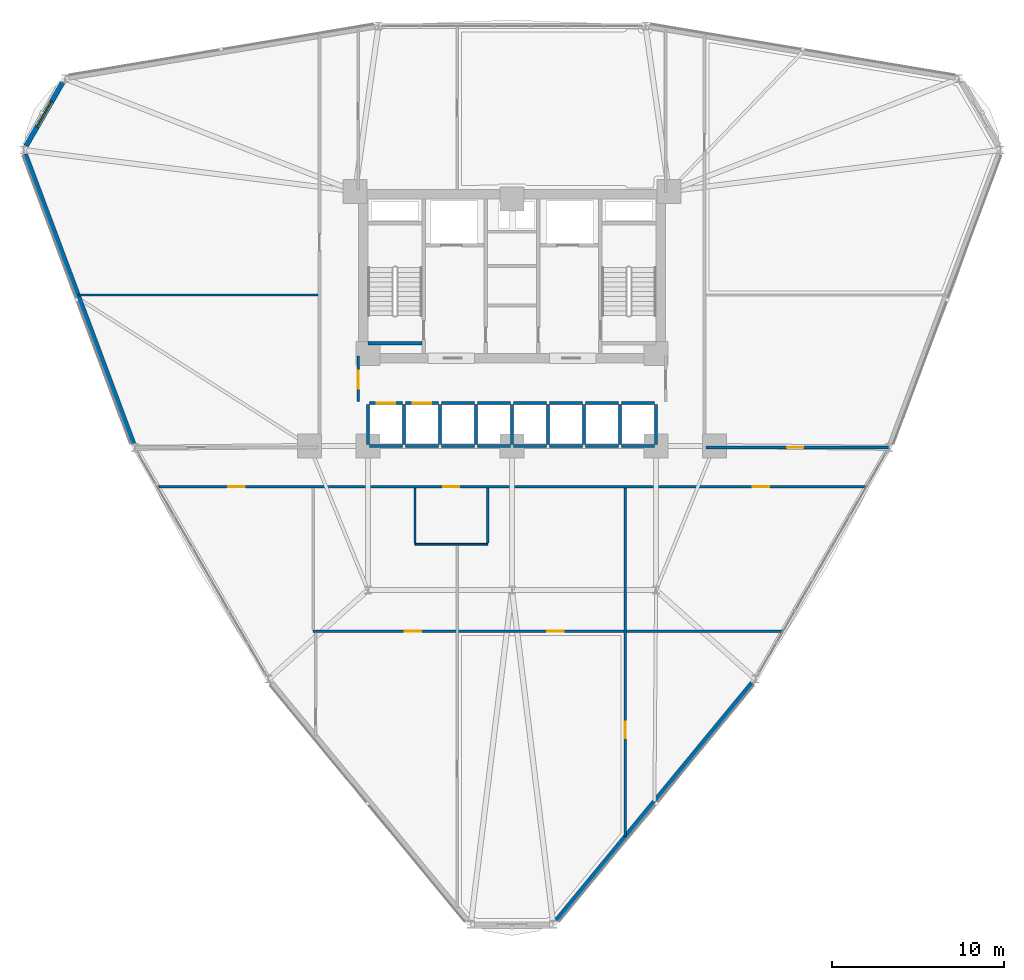
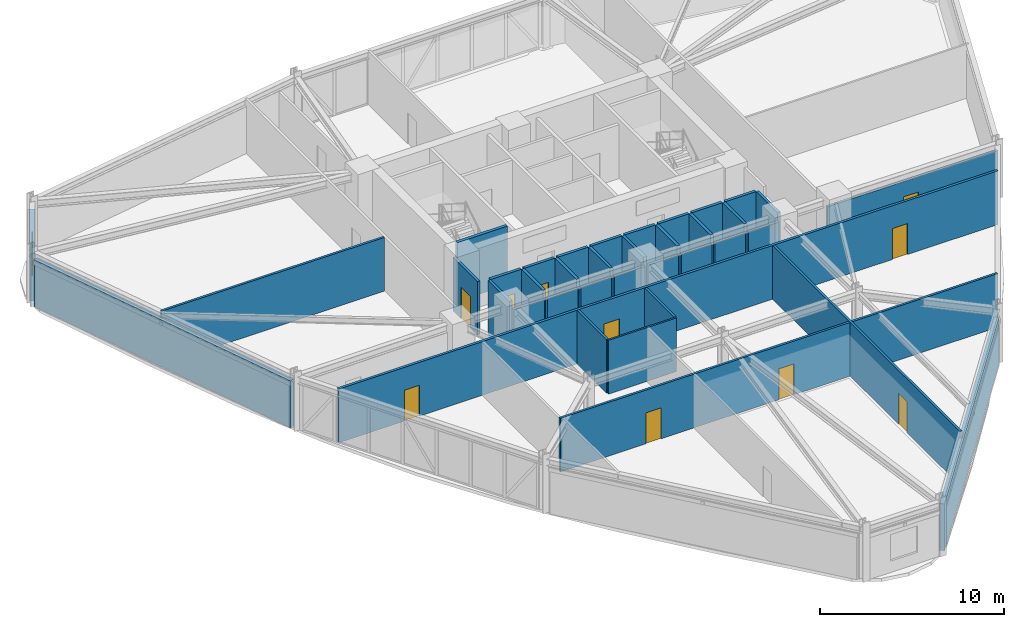
# One storey, part 16 of 22: 38 walls, 10 doors, 1 window, 11 openings.
"""IFC4 building model written with IfcOpenShell, lengths in metres."""

from ifc_helpers import new_model, si_unit, derived_unit, direction, frame, frame_2d, origin, place, context, subcontext, project, spatial, rectangle, extrude, material, layer, layer_set, type_object, element, fill, save


model = new_model("IFC4")

# Units and contexts
model_context = context("Model", 3, precision=1e-05, world=origin(), true_north=direction((0.0, 1.0)))
body_context = subcontext(model_context, "Body", "Model", "MODEL_VIEW")
ifc_project = project(units=[si_unit("LENGTHUNIT", "METRE"), si_unit("AREAUNIT", "SQUARE_METRE"), si_unit("VOLUMEUNIT", "CUBIC_METRE"), si_unit("PLANEANGLEUNIT", "RADIAN"), si_unit("MASSUNIT", "GRAM", prefix="KILO"), derived_unit("THERMALTRANSMITTANCEUNIT", [(si_unit("POWERUNIT", "WATT"), 1), (si_unit("LENGTHUNIT", "METRE"), -2), (si_unit("THERMODYNAMICTEMPERATUREUNIT", "KELVIN"), -1)])], contexts=[model_context])

# Site, building, storey
site_placement = place(None, origin())
site = spatial("IfcSite", under=ifc_project, at=site_placement, CompositionType="ELEMENT")
building_placement = place(site_placement, origin())
building = spatial("IfcBuilding", under=site, at=building_placement, Name="Korsvarv Bourse and Concert Hall", CompositionType="ELEMENT")
storey_placement = place(building_placement, frame((0.0, 0.0, 55.199951171875)))
storey = spatial("IfcBuildingStorey", under=building, at=storey_placement, Name="L13", CompositionType="ELEMENT", Elevation=55.199951171875)

# Wall
ifc_material_1 = material(Name="Concrete C50/60", Category="concrete")
ifc_layer_1 = layer(ifc_material_1, 0.3798828125)
ifc_layer_set_1 = layer_set([ifc_layer_1], Name="Concrete C50/60")
wall_type_1 = type_object("IfcWallType", Name="WL-CORE-380", PredefinedType="SHEAR", material=ifc_layer_set_1)
wall_1_placement = place(storey_placement, frame((27.610107421875, 38.39990234375, 0.0), z_axis=(0.0, 0.0, 1.0), x_axis=(1.0, 0.0, 0.0)))
element("IfcWall", 1, at=wall_1_placement, inside=storey, type_object=wall_type_1, Name="L13 stair shaft structural wall W-L13-ST1-S", PredefinedType="SHEAR", context=body_context, shape_type="SweptSolid", body=[
    extrude(rectangle(XDim=3.139892578125, YDim=0.199951171875, at=frame_2d((1.56982421875, 0.0))), origin(), (0.0, 0.0, 1.0), 3.900146484375),
])

# Wall, opening, window
ifc_material_2 = material(Name="Precast concrete C45/55 with terracotta rainscreen", Category="concrete")
ifc_layer_2 = layer(ifc_material_2, 0.300048828125)
ifc_layer_set_2 = layer_set([ifc_layer_2], Name="Precast concrete C45/55 with terracotta rainscreen")
wall_type_2 = type_object("IfcWallType", Name="WL-EXT-TC1", PredefinedType="SOLIDWALL", material=ifc_layer_set_2)
wall_2_placement = place(storey_placement, frame((9.791015625, 53.58642578125, 0.0), z_axis=(0.0, 0.0, 1.0), x_axis=(-0.500017365573, -0.866015377534, 0.0)))
wall_2 = element("IfcWall", 2, at=wall_2_placement, inside=storey, type_object=wall_type_2, Name="L13 terracotta exterior wall EW-L13-B05", PredefinedType="SOLIDWALL", context=body_context, shape_type="SweptSolid", body=[
    extrude(rectangle(XDim=4.251708984375, YDim=0.300048828125, at=frame_2d((2.1259765625, 0.0))), origin(), (0.0, 0.0, 1.0), 3.110107421875),
])
opening_1_placement = place(wall_2_placement, frame((1.27587890625, 0.0, 0.75)))
opening_1 = element("IfcOpeningElement", 3, at=opening_1_placement, cuts=wall_2, Name="Opening W-01", PredefinedType="OPENING", context=body_context, shape_type="SweptSolid", body=[
    extrude(rectangle(XDim=1.699951171875, YDim=1.75, at=frame_2d((0.85009765625, 0.875))), frame((0.0, 0.16015625, 0.0), z_axis=(0.0, -1.0, 0.0), x_axis=(1.0, 0.0, 0.0)), (0.0, 0.0, 1.0), 0.320068359375),
])
ifc_material_3 = material(Name="Thermally broken aluminium frame with triple low-E glass", Category="glass")
window_type = type_object("IfcWindowType", Name="WIN-TW1", PartitioningType="SINGLE_PANEL", PredefinedType="WINDOW", material=ifc_material_3)
window_placement = place(opening_1_placement, origin())
window = element("IfcWindow", 4, at=window_placement, inside=storey, type_object=window_type, Name="L13 punched facade window W-01", OverallHeight=1.75, OverallWidth=1.699951171875, PartitioningType="SINGLE_PANEL", PredefinedType="WINDOW", context=body_context, shape_type="SweptSolid", body=[
    extrude(rectangle(XDim=1.699951171875, YDim=1.75, at=frame_2d((0.85009765625, 0.875))), frame((0.0, 0.030029296875, 0.0), z_axis=(0.0, -1.0, 0.0), x_axis=(1.0, 0.0, 0.0)), (0.0, 0.0, 1.0), 0.06005859375),
])
fill(opening_1, window)

# Walls
ifc_material_4 = material(Name="Precast concrete C45/55 with fluted terracotta pier", Category="concrete")
ifc_layer_3 = layer(ifc_material_4, 0.280029296875)
ifc_layer_set_3 = layer_set([ifc_layer_3], Name="Precast concrete C45/55 with fluted terracotta pier")
wall_type_3 = type_object("IfcWallType", Name="WL-EXT-TC2", PredefinedType="SOLIDWALL", material=ifc_layer_set_3)
wall_3_placement = place(storey_placement, frame((7.615966796875, 49.42041015625, 0.0), z_axis=(0.0, 0.0, 1.0), x_axis=(0.350140465982, -0.936697205121, 0.0)))
element("IfcWall", 5, at=wall_3_placement, inside=storey, type_object=wall_type_3, Name="L13 terracotta exterior wall EW-L13-B06", PredefinedType="SOLIDWALL", context=body_context, shape_type="SweptSolid", body=[
    extrude(rectangle(XDim=18.022216796875, YDim=0.280029296875, at=frame_2d((9.01123046875, 0.0))), origin(), (0.0, 0.0, 1.0), 3.110107421875),
])
wall_4_placement = place(storey_placement, frame((38.604736328125, 4.751220703125, 0.0), z_axis=(0.0, 0.0, 1.0), x_axis=(0.636134749951, 0.771577980443, 0.0)))
element("IfcWall", 6, at=wall_4_placement, inside=storey, type_object=wall_type_3, Name="L13 terracotta exterior wall EW-L13-B10", PredefinedType="SOLIDWALL", context=body_context, shape_type="SweptSolid", body=[
    extrude(rectangle(XDim=17.911865234375, YDim=0.280029296875, at=frame_2d((8.9560546875, 0.0))), origin(), (0.0, 0.0, 1.0), 3.110107421875),
])

# Wall, opening, door
ifc_material_5 = material(Name="Double-stud fire-rated acoustic partition", Category="gypsum")
ifc_layer_4 = layer(ifc_material_5, 0.159912109375)
ifc_layer_set_4 = layer_set([ifc_layer_4], Name="Double-stud fire-rated acoustic partition")
wall_type_4 = type_object("IfcWallType", Name="WL-INT-EI60", PredefinedType="PARTITIONING", material=ifc_layer_set_4)
wall_5_placement = place(storey_placement, frame((27.0400390625, 35.0, 0.0), z_axis=(0.0, 0.0, 1.0), x_axis=(0.0, 1.0, 0.0)))
wall_5 = element("IfcWall", 7, at=wall_5_placement, inside=storey, type_object=wall_type_4, Name="L13 interior partition wall W-L13-LOB-W", PredefinedType="PARTITIONING", context=body_context, shape_type="SweptSolid", body=[
    extrude(rectangle(XDim=2.64990234375, YDim=0.159912109375, at=frame_2d((1.324951171875, 0.0))), origin(), (0.0, 0.0, 1.0), 3.56005859375),
])
opening_2_placement = place(wall_5_placement, frame((0.75, 0.0, 0.0)))
opening_2 = element("IfcOpeningElement", 8, at=opening_2_placement, cuts=wall_5, Name="Opening D-01", PredefinedType="OPENING", context=body_context, shape_type="SweptSolid", body=[
    extrude(rectangle(XDim=1.050048828125, YDim=2.10009765625, at=frame_2d((0.52490234375, 1.050048828125))), frame((0.0, 0.08984375, 0.0), z_axis=(0.0, -1.0, 0.0), x_axis=(1.0, 0.0, 0.0)), (0.0, 0.0, 1.0), 0.179931640625),
])
ifc_material_6 = material(Name="Steel S355 fire door", Category="steel")
door_type_1 = type_object("IfcDoorType", Name="DR-FD60", OperationType="NOTDEFINED", PredefinedType="DOOR", material=ifc_material_6)
door_1_placement = place(opening_2_placement, frame((1.050048828125, 0.0, 0.0), z_axis=(0.0, 0.0, 1.0), x_axis=(-1.0, 0.0, 0.0)))
door_1 = element("IfcDoor", 9, at=door_1_placement, inside=storey, type_object=door_type_1, Name="L13 interior door DR-L13-LOBW", OperationType="SINGLE_SWING_RIGHT", OverallHeight=2.10009765625, OverallWidth=1.050048828125, PredefinedType="DOOR", context=body_context, shape_type="SweptSolid", body=[
    extrude(rectangle(XDim=1.050048828125, YDim=2.10009765625, at=frame_2d((0.52490234375, 1.050048828125))), frame((0.0, 0.02490234375, 0.0), z_axis=(0.0, -1.0, 0.0), x_axis=(1.0, 0.0, 0.0)), (0.0, 0.0, 1.0), 0.050048828125),
])
fill(opening_2, door_1)

# Wall, openings, doors
wall_6_placement = place(storey_placement, frame((15.348388671875, 30.02490234375, 0.0), z_axis=(0.0, 0.0, 1.0), x_axis=(1.0, 0.0, 0.0)))
wall_6 = element("IfcWall", 10, at=wall_6_placement, inside=storey, type_object=wall_type_4, Name="L13 interior partition wall W-L13-TCOR-01", PredefinedType="PARTITIONING", context=body_context, shape_type="SweptSolid", body=[
    extrude(rectangle(XDim=41.30322265625, YDim=0.159912109375, at=frame_2d((20.651611328125, 0.0))), origin(), (0.0, 0.0, 1.0), 3.56005859375),
])
opening_3_placement = place(wall_6_placement, frame((16.636474609375, 0.0, 0.0)))
opening_3 = element("IfcOpeningElement", 11, at=opening_3_placement, cuts=wall_6, Name="Opening D-02", PredefinedType="OPENING", context=body_context, shape_type="SweptSolid", body=[
    extrude(rectangle(XDim=0.949951171875, YDim=2.050048828125, at=frame_2d((0.47509765625, 1.02490234375))), frame((0.0, 0.08984375, 0.0), z_axis=(0.0, -1.0, 0.0), x_axis=(1.0, 0.0, 0.0)), (0.0, 0.0, 1.0), 0.179931640625),
])
opening_4_placement = place(wall_6_placement, frame((4.119873046875, 0.0, 0.0)))
opening_4 = element("IfcOpeningElement", 12, at=opening_4_placement, cuts=wall_6, Name="Opening D-02", PredefinedType="OPENING", context=body_context, shape_type="SweptSolid", body=[
    extrude(rectangle(XDim=0.949951171875, YDim=2.050048828125, at=frame_2d((0.47509765625, 1.02490234375))), frame((0.0, 0.08984375, 0.0), z_axis=(0.0, -1.0, 0.0), x_axis=(1.0, 0.0, 0.0)), (0.0, 0.0, 1.0), 0.179931640625),
])
opening_5_placement = place(wall_6_placement, frame((34.68994140625, 0.0, 0.0)))
opening_5 = element("IfcOpeningElement", 13, at=opening_5_placement, cuts=wall_6, Name="Opening D-02", PredefinedType="OPENING", context=body_context, shape_type="SweptSolid", body=[
    extrude(rectangle(XDim=0.949951171875, YDim=2.050048828125, at=frame_2d((0.47509765625, 1.02490234375))), frame((0.0, 0.08984375, 0.0), z_axis=(0.0, -1.0, 0.0), x_axis=(1.0, 0.0, 0.0)), (0.0, 0.0, 1.0), 0.179931640625),
])
ifc_material_7 = material(Name="Timber and steel acoustic fire door", Category="wood")
door_type_2 = type_object("IfcDoorType", Name="DR-FD30", OperationType="NOTDEFINED", PredefinedType="DOOR", material=ifc_material_7)
door_2_placement = place(opening_3_placement, origin())
door_2 = element("IfcDoor", 14, at=door_2_placement, inside=storey, type_object=door_type_2, Name="L13 interior door DR-L13-TCOR-RWC", OperationType="SINGLE_SWING_RIGHT", OverallHeight=2.050048828125, OverallWidth=0.949951171875, PredefinedType="DOOR", context=body_context, shape_type="SweptSolid", body=[
    extrude(rectangle(XDim=0.949951171875, YDim=2.050048828125, at=frame_2d((0.47509765625, 1.02490234375))), frame((0.0, 0.02490234375, 0.0), z_axis=(0.0, -1.0, 0.0), x_axis=(1.0, 0.0, 0.0)), (0.0, 0.0, 1.0), 0.050048828125),
])
fill(opening_3, door_2)
door_3_placement = place(opening_4_placement, origin())
door_3 = element("IfcDoor", 15, at=door_3_placement, inside=storey, type_object=door_type_2, Name="L13 interior door DR-L13-TCOR-MF13", OperationType="SINGLE_SWING_LEFT", OverallHeight=2.050048828125, OverallWidth=0.949951171875, PredefinedType="DOOR", context=body_context, shape_type="SweptSolid", body=[
    extrude(rectangle(XDim=0.949951171875, YDim=2.050048828125, at=frame_2d((0.47509765625, 1.02490234375))), frame((0.0, 0.02490234375, 0.0), z_axis=(0.0, -1.0, 0.0), x_axis=(1.0, 0.0, 0.0)), (0.0, 0.0, 1.0), 0.050048828125),
])
fill(opening_4, door_3)
door_4_placement = place(opening_5_placement, origin())
door_4 = element("IfcDoor", 16, at=door_4_placement, inside=storey, type_object=door_type_2, Name="L13 interior door DR-L13-TCOR-MF49", OperationType="SINGLE_SWING_RIGHT", OverallHeight=2.050048828125, OverallWidth=0.949951171875, PredefinedType="DOOR", context=body_context, shape_type="SweptSolid", body=[
    extrude(rectangle(XDim=0.949951171875, YDim=2.050048828125, at=frame_2d((0.47509765625, 1.02490234375))), frame((0.0, 0.02490234375, 0.0), z_axis=(0.0, -1.0, 0.0), x_axis=(1.0, 0.0, 0.0)), (0.0, 0.0, 1.0), 0.050048828125),
])
fill(opening_5, door_4)

# Wall, opening, door
wall_7_placement = place(storey_placement, frame((47.306884765625, 32.31494140625, 0.0), z_axis=(0.0, 0.0, 1.0), x_axis=(1.0, 0.0, 0.0)))
wall_7 = element("IfcWall", 17, at=wall_7_placement, inside=storey, type_object=wall_type_4, Name="L13 interior partition wall W-L13-TCOR-05", PredefinedType="PARTITIONING", context=body_context, shape_type="SweptSolid", body=[
    extrude(rectangle(XDim=10.6630859375, YDim=0.159912109375, at=frame_2d((5.33154296875, 0.0))), origin(), (0.0, 0.0, 1.0), 3.06005859375),
])
opening_6_placement = place(wall_7_placement, frame((4.739013671875, 0.0, 0.0)))
opening_6 = element("IfcOpeningElement", 18, at=opening_6_placement, cuts=wall_7, Name="Opening D-02", PredefinedType="OPENING", context=body_context, shape_type="SweptSolid", body=[
    extrude(rectangle(XDim=0.949951171875, YDim=2.050048828125, at=frame_2d((0.47509765625, 1.02490234375))), frame((0.0, 0.08984375, 0.0), z_axis=(0.0, -1.0, 0.0), x_axis=(1.0, 0.0, 0.0)), (0.0, 0.0, 1.0), 0.179931640625),
])
door_5_placement = place(opening_6_placement, origin())
door_5 = element("IfcDoor", 19, at=door_5_placement, inside=storey, type_object=door_type_2, Name="L13 interior door DR-L13-TCOR-MF91", OperationType="SINGLE_SWING_RIGHT", OverallHeight=2.050048828125, OverallWidth=0.949951171875, PredefinedType="DOOR", context=body_context, shape_type="SweptSolid", body=[
    extrude(rectangle(XDim=0.949951171875, YDim=2.050048828125, at=frame_2d((0.47509765625, 1.02490234375))), frame((0.0, 0.02490234375, 0.0), z_axis=(0.0, -1.0, 0.0), x_axis=(1.0, 0.0, 0.0)), (0.0, 0.0, 1.0), 0.050048828125),
])
fill(opening_6, door_5)

ifc_material_8 = material(Name="Gypsum-clad autoclaved concrete shaft wall C30/37", Category="concrete")
ifc_layer_5 = layer(ifc_material_8, 0.179931640625)
ifc_layer_set_5 = layer_set([ifc_layer_5], Name="Gypsum-clad autoclaved concrete shaft wall C30/37")
wall_type_5 = type_object("IfcWallType", Name="WL-INT-EI90", PredefinedType="PARTITIONING", material=ifc_layer_set_5)
wall_8_placement = place(storey_placement, frame((27.68994140625, 34.89990234375, 0.0), z_axis=(0.0, 0.0, 1.0), x_axis=(1.0, 0.0, 0.0)))
wall_8 = element("IfcWall", 20, at=wall_8_placement, inside=storey, type_object=wall_type_5, Name="L13 interior partition wall W-L13-SHFN-PL1", PredefinedType="PARTITIONING", context=body_context, shape_type="SweptSolid", body=[
    extrude(rectangle(XDim=1.920166015625, YDim=0.179931640625, at=frame_2d((0.9599609375, 0.0))), origin(), (0.0, 0.0, 1.0), 3.56005859375),
])
opening_7_placement = place(wall_8_placement, frame((0.409912109375, 0.0, 0.0)))
opening_7 = element("IfcOpeningElement", 21, at=opening_7_placement, cuts=wall_8, Name="Opening LD-2", PredefinedType="OPENING", context=body_context, shape_type="SweptSolid", body=[
    extrude(rectangle(XDim=1.10009765625, YDim=2.10009765625, at=frame_2d((0.550048828125, 1.050048828125))), frame((0.0, 0.10009765625, 0.0), z_axis=(0.0, -1.0, 0.0), x_axis=(1.0, 0.0, 0.0)), (0.0, 0.0, 1.0), 0.199951171875),
])
ifc_material_9 = material(Name="Brushed stainless Steel S355 lift landing door", Category="steel")
door_type_3 = type_object("IfcDoorType", Name="DR-LIFT-P", OperationType="DOUBLE_DOOR_SLIDING", PredefinedType="DOOR", material=ifc_material_9)
door_6_placement = place(opening_7_placement, origin())
door_6 = element("IfcDoor", 22, at=door_6_placement, inside=storey, type_object=door_type_3, Name="L13 lift sliding landing door LD-L13-PL1", OperationType="DOUBLE_DOOR_SLIDING", OverallHeight=2.10009765625, OverallWidth=1.10009765625, PredefinedType="DOOR", context=body_context, shape_type="SweptSolid", body=[
    extrude(rectangle(XDim=1.10009765625, YDim=2.10009765625, at=frame_2d((0.550048828125, 1.050048828125))), frame((0.0, 0.02490234375, 0.0), z_axis=(0.0, -1.0, 0.0), x_axis=(1.0, 0.0, 0.0)), (0.0, 0.0, 1.0), 0.050048828125),
])
fill(opening_7, door_6)

# Walls
wall_9_placement = place(storey_placement, frame((27.68994140625, 32.39990234375, 0.0), z_axis=(0.0, 0.0, 1.0), x_axis=(1.0, 0.0, 0.0)))
element("IfcWall", 23, at=wall_9_placement, inside=storey, type_object=wall_type_5, Name="L13 interior partition wall W-L13-SHFS-PL1", PredefinedType="PARTITIONING", context=body_context, shape_type="SweptSolid", body=[
    extrude(rectangle(XDim=1.920166015625, YDim=0.179931640625, at=frame_2d((0.9599609375, 0.0))), origin(), (0.0, 0.0, 1.0), 3.06005859375),
])
wall_10_placement = place(storey_placement, frame((27.60009765625, 32.489990234375, 0.0), z_axis=(0.0, 0.0, 1.0), x_axis=(0.0, 1.0, 0.0)))
element("IfcWall", 24, at=wall_10_placement, inside=storey, type_object=wall_type_5, Name="L13 interior partition wall W-L13-SHFW-PL1", PredefinedType="PARTITIONING", context=body_context, shape_type="SweptSolid", body=[
    extrude(rectangle(XDim=2.320068359375, YDim=0.179931640625, at=frame_2d((1.16015625, 0.0))), origin(), (0.0, 0.0, 1.0), 3.56005859375),
])

# Wall, opening, door
wall_11_placement = place(storey_placement, frame((29.7900390625, 34.89990234375, 0.0), z_axis=(0.0, 0.0, 1.0), x_axis=(1.0, 0.0, 0.0)))
wall_11 = element("IfcWall", 25, at=wall_11_placement, inside=storey, type_object=wall_type_5, Name="L13 interior partition wall W-L13-SHFN-PL2", PredefinedType="PARTITIONING", context=body_context, shape_type="SweptSolid", body=[
    extrude(rectangle(XDim=1.919921875, YDim=0.179931640625, at=frame_2d((0.9599609375, 0.0))), origin(), (0.0, 0.0, 1.0), 3.56005859375),
])
opening_8_placement = place(wall_11_placement, frame((0.409912109375, 0.0, 0.0)))
opening_8 = element("IfcOpeningElement", 26, at=opening_8_placement, cuts=wall_11, Name="Opening LD-2", PredefinedType="OPENING", context=body_context, shape_type="SweptSolid", body=[
    extrude(rectangle(XDim=1.10009765625, YDim=2.10009765625, at=frame_2d((0.550048828125, 1.050048828125))), frame((0.0, 0.10009765625, 0.0), z_axis=(0.0, -1.0, 0.0), x_axis=(1.0, 0.0, 0.0)), (0.0, 0.0, 1.0), 0.199951171875),
])
door_7_placement = place(opening_8_placement, origin())
door_7 = element("IfcDoor", 27, at=door_7_placement, inside=storey, type_object=door_type_3, Name="L13 lift sliding landing door LD-L13-PL2", OperationType="DOUBLE_DOOR_SLIDING", OverallHeight=2.10009765625, OverallWidth=1.10009765625, PredefinedType="DOOR", context=body_context, shape_type="SweptSolid", body=[
    extrude(rectangle(XDim=1.10009765625, YDim=2.10009765625, at=frame_2d((0.550048828125, 1.050048828125))), frame((0.0, 0.02490234375, 0.0), z_axis=(0.0, -1.0, 0.0), x_axis=(1.0, 0.0, 0.0)), (0.0, 0.0, 1.0), 0.050048828125),
])
fill(opening_8, door_7)

# Walls
wall_12_placement = place(storey_placement, frame((29.7900390625, 32.39990234375, 0.0), z_axis=(0.0, 0.0, 1.0), x_axis=(1.0, 0.0, 0.0)))
element("IfcWall", 28, at=wall_12_placement, inside=storey, type_object=wall_type_5, Name="L13 interior partition wall W-L13-SHFS-PL2", PredefinedType="PARTITIONING", context=body_context, shape_type="SweptSolid", body=[
    extrude(rectangle(XDim=1.919921875, YDim=0.179931640625, at=frame_2d((0.9599609375, 0.0))), origin(), (0.0, 0.0, 1.0), 3.06005859375),
])
wall_13_placement = place(storey_placement, frame((29.699951171875, 32.489990234375, 0.0), z_axis=(0.0, 0.0, 1.0), x_axis=(0.0, 1.0, 0.0)))
element("IfcWall", 29, at=wall_13_placement, inside=storey, type_object=wall_type_5, Name="L13 interior partition wall W-L13-SHFW-PL2", PredefinedType="PARTITIONING", context=body_context, shape_type="SweptSolid", body=[
    extrude(rectangle(XDim=2.320068359375, YDim=0.179931640625, at=frame_2d((1.16015625, 0.0))), origin(), (0.0, 0.0, 1.0), 3.56005859375),
])
wall_14_placement = place(storey_placement, frame((31.889892578125, 34.89990234375, 0.0), z_axis=(0.0, 0.0, 1.0), x_axis=(1.0, 0.0, 0.0)))
element("IfcWall", 30, at=wall_14_placement, inside=storey, type_object=wall_type_5, Name="L13 interior partition wall W-L13-SHFN-PM1", PredefinedType="PARTITIONING", context=body_context, shape_type="SweptSolid", body=[
    extrude(rectangle(XDim=1.920166015625, YDim=0.179931640625, at=frame_2d((0.9599609375, 0.0))), origin(), (0.0, 0.0, 1.0), 3.56005859375),
])
wall_15_placement = place(storey_placement, frame((31.889892578125, 32.39990234375, 0.0), z_axis=(0.0, 0.0, 1.0), x_axis=(1.0, 0.0, 0.0)))
element("IfcWall", 31, at=wall_15_placement, inside=storey, type_object=wall_type_5, Name="L13 interior partition wall W-L13-SHFS-PM1", PredefinedType="PARTITIONING", context=body_context, shape_type="SweptSolid", body=[
    extrude(rectangle(XDim=1.920166015625, YDim=0.179931640625, at=frame_2d((0.9599609375, 0.0))), origin(), (0.0, 0.0, 1.0), 3.06005859375),
])
wall_16_placement = place(storey_placement, frame((31.800048828125, 32.489990234375, 0.0), z_axis=(0.0, 0.0, 1.0), x_axis=(0.0, 1.0, 0.0)))
element("IfcWall", 32, at=wall_16_placement, inside=storey, type_object=wall_type_5, Name="L13 interior partition wall W-L13-SHFW-PM1", PredefinedType="PARTITIONING", context=body_context, shape_type="SweptSolid", body=[
    extrude(rectangle(XDim=2.320068359375, YDim=0.179931640625, at=frame_2d((1.16015625, 0.0))), origin(), (0.0, 0.0, 1.0), 3.56005859375),
])
wall_17_placement = place(storey_placement, frame((33.989990234375, 34.89990234375, 0.0), z_axis=(0.0, 0.0, 1.0), x_axis=(1.0, 0.0, 0.0)))
element("IfcWall", 33, at=wall_17_placement, inside=storey, type_object=wall_type_5, Name="L13 interior partition wall W-L13-SHFN-PM2", PredefinedType="PARTITIONING", context=body_context, shape_type="SweptSolid", body=[
    extrude(rectangle(XDim=1.919921875, YDim=0.179931640625, at=frame_2d((0.9599609375, 0.0))), origin(), (0.0, 0.0, 1.0), 3.56005859375),
])
wall_18_placement = place(storey_placement, frame((33.989990234375, 32.39990234375, 0.0), z_axis=(0.0, 0.0, 1.0), x_axis=(1.0, 0.0, 0.0)))
element("IfcWall", 34, at=wall_18_placement, inside=storey, type_object=wall_type_5, Name="L13 interior partition wall W-L13-SHFS-PM2", PredefinedType="PARTITIONING", context=body_context, shape_type="SweptSolid", body=[
    extrude(rectangle(XDim=1.919921875, YDim=0.179931640625, at=frame_2d((0.9599609375, 0.0))), origin(), (0.0, 0.0, 1.0), 3.06005859375),
])
wall_19_placement = place(storey_placement, frame((33.89990234375, 32.489990234375, 0.0), z_axis=(0.0, 0.0, 1.0), x_axis=(0.0, 1.0, 0.0)))
element("IfcWall", 35, at=wall_19_placement, inside=storey, type_object=wall_type_5, Name="L13 interior partition wall W-L13-SHFW-PM2", PredefinedType="PARTITIONING", context=body_context, shape_type="SweptSolid", body=[
    extrude(rectangle(XDim=2.320068359375, YDim=0.179931640625, at=frame_2d((1.16015625, 0.0))), origin(), (0.0, 0.0, 1.0), 3.56005859375),
])
wall_20_placement = place(storey_placement, frame((36.090087890625, 34.89990234375, 0.0), z_axis=(0.0, 0.0, 1.0), x_axis=(1.0, 0.0, 0.0)))
element("IfcWall", 36, at=wall_20_placement, inside=storey, type_object=wall_type_5, Name="L13 interior partition wall W-L13-SHFN-PH1", PredefinedType="PARTITIONING", context=body_context, shape_type="SweptSolid", body=[
    extrude(rectangle(XDim=1.919921875, YDim=0.179931640625, at=frame_2d((0.9599609375, 0.0))), origin(), (0.0, 0.0, 1.0), 3.56005859375),
])
wall_21_placement = place(storey_placement, frame((36.090087890625, 32.39990234375, 0.0), z_axis=(0.0, 0.0, 1.0), x_axis=(1.0, 0.0, 0.0)))
element("IfcWall", 37, at=wall_21_placement, inside=storey, type_object=wall_type_5, Name="L13 interior partition wall W-L13-SHFS-PH1", PredefinedType="PARTITIONING", context=body_context, shape_type="SweptSolid", body=[
    extrude(rectangle(XDim=1.919921875, YDim=0.179931640625, at=frame_2d((0.9599609375, 0.0))), origin(), (0.0, 0.0, 1.0), 3.06005859375),
])
wall_22_placement = place(storey_placement, frame((36.0, 32.489990234375, 0.0), z_axis=(0.0, 0.0, 1.0), x_axis=(0.0, 1.0, 0.0)))
element("IfcWall", 38, at=wall_22_placement, inside=storey, type_object=wall_type_5, Name="L13 interior partition wall W-L13-SHFW-PH1", PredefinedType="PARTITIONING", context=body_context, shape_type="SweptSolid", body=[
    extrude(rectangle(XDim=2.320068359375, YDim=0.179931640625, at=frame_2d((1.16015625, 0.0))), origin(), (0.0, 0.0, 1.0), 3.56005859375),
])
wall_23_placement = place(storey_placement, frame((38.18994140625, 34.89990234375, 0.0), z_axis=(0.0, 0.0, 1.0), x_axis=(1.0, 0.0, 0.0)))
element("IfcWall", 39, at=wall_23_placement, inside=storey, type_object=wall_type_5, Name="L13 interior partition wall W-L13-SHFN-PH2", PredefinedType="PARTITIONING", context=body_context, shape_type="SweptSolid", body=[
    extrude(rectangle(XDim=1.920166015625, YDim=0.179931640625, at=frame_2d((0.9599609375, 0.0))), origin(), (0.0, 0.0, 1.0), 3.56005859375),
])
wall_24_placement = place(storey_placement, frame((38.18994140625, 32.39990234375, 0.0), z_axis=(0.0, 0.0, 1.0), x_axis=(1.0, 0.0, 0.0)))
element("IfcWall", 40, at=wall_24_placement, inside=storey, type_object=wall_type_5, Name="L13 interior partition wall W-L13-SHFS-PH2", PredefinedType="PARTITIONING", context=body_context, shape_type="SweptSolid", body=[
    extrude(rectangle(XDim=1.920166015625, YDim=0.179931640625, at=frame_2d((0.9599609375, 0.0))), origin(), (0.0, 0.0, 1.0), 3.06005859375),
])
wall_25_placement = place(storey_placement, frame((38.10009765625, 32.489990234375, 0.0), z_axis=(0.0, 0.0, 1.0), x_axis=(0.0, 1.0, 0.0)))
element("IfcWall", 41, at=wall_25_placement, inside=storey, type_object=wall_type_5, Name="L13 interior partition wall W-L13-SHFW-PH2", PredefinedType="PARTITIONING", context=body_context, shape_type="SweptSolid", body=[
    extrude(rectangle(XDim=2.320068359375, YDim=0.179931640625, at=frame_2d((1.16015625, 0.0))), origin(), (0.0, 0.0, 1.0), 3.56005859375),
])
wall_26_placement = place(storey_placement, frame((40.2900390625, 34.89990234375, 0.0), z_axis=(0.0, 0.0, 1.0), x_axis=(1.0, 0.0, 0.0)))
element("IfcWall", 42, at=wall_26_placement, inside=storey, type_object=wall_type_5, Name="L13 interior partition wall W-L13-SHFN-PO1", PredefinedType="PARTITIONING", context=body_context, shape_type="SweptSolid", body=[
    extrude(rectangle(XDim=1.919921875, YDim=0.179931640625, at=frame_2d((0.9599609375, 0.0))), origin(), (0.0, 0.0, 1.0), 3.56005859375),
])
wall_27_placement = place(storey_placement, frame((40.2900390625, 32.39990234375, 0.0), z_axis=(0.0, 0.0, 1.0), x_axis=(1.0, 0.0, 0.0)))
element("IfcWall", 43, at=wall_27_placement, inside=storey, type_object=wall_type_5, Name="L13 interior partition wall W-L13-SHFS-PO1", PredefinedType="PARTITIONING", context=body_context, shape_type="SweptSolid", body=[
    extrude(rectangle(XDim=1.919921875, YDim=0.179931640625, at=frame_2d((0.9599609375, 0.0))), origin(), (0.0, 0.0, 1.0), 3.06005859375),
])
wall_28_placement = place(storey_placement, frame((40.199951171875, 32.489990234375, 0.0), z_axis=(0.0, 0.0, 1.0), x_axis=(0.0, 1.0, 0.0)))
element("IfcWall", 44, at=wall_28_placement, inside=storey, type_object=wall_type_5, Name="L13 interior partition wall W-L13-SHFW-PO1", PredefinedType="PARTITIONING", context=body_context, shape_type="SweptSolid", body=[
    extrude(rectangle(XDim=2.320068359375, YDim=0.179931640625, at=frame_2d((1.16015625, 0.0))), origin(), (0.0, 0.0, 1.0), 3.56005859375),
])
wall_29_placement = place(storey_placement, frame((42.389892578125, 34.89990234375, 0.0), z_axis=(0.0, 0.0, 1.0), x_axis=(1.0, 0.0, 0.0)))
element("IfcWall", 45, at=wall_29_placement, inside=storey, type_object=wall_type_5, Name="L13 interior partition wall W-L13-SHFN-PO2", PredefinedType="PARTITIONING", context=body_context, shape_type="SweptSolid", body=[
    extrude(rectangle(XDim=1.920166015625, YDim=0.179931640625, at=frame_2d((0.9599609375, 0.0))), origin(), (0.0, 0.0, 1.0), 3.56005859375),
])
wall_30_placement = place(storey_placement, frame((42.389892578125, 32.39990234375, 0.0), z_axis=(0.0, 0.0, 1.0), x_axis=(1.0, 0.0, 0.0)))
element("IfcWall", 46, at=wall_30_placement, inside=storey, type_object=wall_type_5, Name="L13 interior partition wall W-L13-SHFS-PO2", PredefinedType="PARTITIONING", context=body_context, shape_type="SweptSolid", body=[
    extrude(rectangle(XDim=1.920166015625, YDim=0.179931640625, at=frame_2d((0.9599609375, 0.0))), origin(), (0.0, 0.0, 1.0), 3.06005859375),
])
for number, where, z_axis, x_axis, name in (
    (47, (42.300048828125, 32.489990234375, 0.0), (0.0, 0.0, 1.0), (0.0, 1.0, 0.0), "L13 interior partition wall W-L13-SHFW-PO2"),
    (48, (44.39990234375, 32.489990234375, 0.0), (0.0, 0.0, 1.0), (0.0, 1.0, 0.0), "L13 interior partition wall W-L13-SHFE-END"),
):
    element("IfcWall", number, at=place(storey_placement, frame(where, z_axis=z_axis, x_axis=x_axis)), inside=storey, type_object=wall_type_5, Name=name, PredefinedType="PARTITIONING", context=body_context, shape_type="SweptSolid", body=[
        extrude(rectangle(XDim=2.320068359375, YDim=0.179931640625, at=frame_2d((1.16015625, 0.0))), origin(), (0.0, 0.0, 1.0), 3.56005859375),
    ])
ifc_material_10 = material(Name="Demountable acoustic glass and aluminium dealing partition", Category="aluminium")
ifc_layer_6 = layer(ifc_material_10, 0.110107421875)
ifc_layer_set_6 = layer_set([ifc_layer_6], Name="Demountable acoustic glass and aluminium dealing partition")
wall_type_6 = type_object("IfcWallType", Name="WL-INT-MOV", PredefinedType="MOVABLE", material=ifc_layer_set_6)
wall_31_placement = place(storey_placement, frame((30.340087890625, 26.675048828125, 0.0), z_axis=(0.0, 0.0, 1.0), x_axis=(1.0, 0.0, 0.0)))
element("IfcWall", 49, at=wall_31_placement, inside=storey, type_object=wall_type_6, Name="L13 interior partition wall W-L13-TCOR-16", PredefinedType="MOVABLE", context=body_context, shape_type="SweptSolid", body=[
    extrude(rectangle(XDim=4.239990234375, YDim=0.110107421875, at=frame_2d((2.1201171875, 0.0))), origin(), (0.0, 0.0, 1.0), 3.56005859375),
])

# Wall, openings, doors
ifc_material_11 = material(Name="Insulated steel-stud office acoustic partition", Category="gypsum")
ifc_layer_7 = layer(ifc_material_11, 0.139892578125)
ifc_layer_set_7 = layer_set([ifc_layer_7], Name="Insulated steel-stud office acoustic partition")
wall_type_7 = type_object("IfcWallType", Name="WL-INT-P1", PredefinedType="PARTITIONING", material=ifc_layer_set_7)
wall_32_placement = place(storey_placement, frame((24.389892578125, 21.60498046875, 0.0), z_axis=(0.0, 0.0, 1.0), x_axis=(1.0, 0.0, 0.0)))
wall_32 = element("IfcWall", 50, at=wall_32_placement, inside=storey, type_object=wall_type_7, Name="L13 interior partition wall W-L13-TCOR-08", PredefinedType="PARTITIONING", context=body_context, shape_type="SweptSolid", body=[
    extrude(rectangle(XDim=27.400390625, YDim=0.139892578125, at=frame_2d((13.7001953125, 0.0))), origin(), (0.0, 0.0, 1.0), 3.56005859375),
])
opening_9_placement = place(wall_32_placement, frame((5.360107421875, 0.0, 0.0)))
opening_9 = element("IfcOpeningElement", 51, at=opening_9_placement, cuts=wall_32, Name="Opening D-03", PredefinedType="OPENING", context=body_context, shape_type="SweptSolid", body=[
    extrude(rectangle(XDim=0.949951171875, YDim=2.050048828125, at=frame_2d((0.47509765625, 1.02490234375))), frame((0.0, 0.080078125, 0.0), z_axis=(0.0, -1.0, 0.0), x_axis=(1.0, 0.0, 0.0)), (0.0, 0.0, 1.0), 0.159912109375),
])
opening_10_placement = place(wall_32_placement, frame((13.677978515625, 0.0, 0.0)))
opening_10 = element("IfcOpeningElement", 52, at=opening_10_placement, cuts=wall_32, Name="Opening D-03", PredefinedType="OPENING", context=body_context, shape_type="SweptSolid", body=[
    extrude(rectangle(XDim=0.949951171875, YDim=2.050048828125, at=frame_2d((0.47509765625, 1.02490234375))), frame((0.0, 0.080078125, 0.0), z_axis=(0.0, -1.0, 0.0), x_axis=(1.0, 0.0, 0.0)), (0.0, 0.0, 1.0), 0.159912109375),
])
ifc_material_12 = material(Name="Nordic oak acoustic office door", Category="wood")
door_type_4 = type_object("IfcDoorType", Name="DR-INT-1", OperationType="NOTDEFINED", PredefinedType="DOOR", material=ifc_material_12)
door_8_placement = place(opening_9_placement, origin())
door_8 = element("IfcDoor", 53, at=door_8_placement, inside=storey, type_object=door_type_4, Name="L13 interior door DR-L13-TCOR-MF25", OperationType="SINGLE_SWING_RIGHT", OverallHeight=2.050048828125, OverallWidth=0.949951171875, PredefinedType="DOOR", context=body_context, shape_type="SweptSolid", body=[
    extrude(rectangle(XDim=0.949951171875, YDim=2.050048828125, at=frame_2d((0.47509765625, 1.02490234375))), frame((0.0, 0.02490234375, 0.0), z_axis=(0.0, -1.0, 0.0), x_axis=(1.0, 0.0, 0.0)), (0.0, 0.0, 1.0), 0.050048828125),
])
fill(opening_9, door_8)
door_9_placement = place(opening_10_placement, origin())
door_9 = element("IfcDoor", 54, at=door_9_placement, inside=storey, type_object=door_type_4, Name="L13 interior door DR-L13-TCOR-MF37", OperationType="SINGLE_SWING_LEFT", OverallHeight=2.050048828125, OverallWidth=0.949951171875, PredefinedType="DOOR", context=body_context, shape_type="SweptSolid", body=[
    extrude(rectangle(XDim=0.949951171875, YDim=2.050048828125, at=frame_2d((0.47509765625, 1.02490234375))), frame((0.0, 0.02490234375, 0.0), z_axis=(0.0, -1.0, 0.0), x_axis=(1.0, 0.0, 0.0)), (0.0, 0.0, 1.0), 0.050048828125),
])
fill(opening_10, door_9)

# Wall, opening, door
wall_33_placement = place(storey_placement, frame((42.60498046875, 9.623046875, 0.0), z_axis=(0.0, 0.0, 1.0), x_axis=(0.0, 1.0, 0.0)))
wall_33 = element("IfcWall", 55, at=wall_33_placement, inside=storey, type_object=wall_type_7, Name="L13 interior partition wall W-L13-TCOR-10", PredefinedType="PARTITIONING", context=body_context, shape_type="SweptSolid", body=[
    extrude(rectangle(XDim=20.320068359375, YDim=0.139892578125, at=frame_2d((10.16015625, 0.0))), origin(), (0.0, 0.0, 1.0), 3.56005859375),
])
opening_11_placement = place(wall_33_placement, frame((5.739501953125, 0.0, 0.0)))
opening_11 = element("IfcOpeningElement", 56, at=opening_11_placement, cuts=wall_33, Name="Opening D-03", PredefinedType="OPENING", context=body_context, shape_type="SweptSolid", body=[
    extrude(rectangle(XDim=0.949951171875, YDim=2.050048828125, at=frame_2d((0.47509765625, 1.02490234375))), frame((0.0, 0.080078125, 0.0), z_axis=(0.0, -1.0, 0.0), x_axis=(1.0, 0.0, 0.0)), (0.0, 0.0, 1.0), 0.159912109375),
])
door_10_placement = place(opening_11_placement, origin())
door_10 = element("IfcDoor", 57, at=door_10_placement, inside=storey, type_object=door_type_4, Name="L13 interior door DR-L13-TCOR-RM88", OperationType="SINGLE_SWING_LEFT", OverallHeight=2.050048828125, OverallWidth=0.949951171875, PredefinedType="DOOR", context=body_context, shape_type="SweptSolid", body=[
    extrude(rectangle(XDim=0.949951171875, YDim=2.050048828125, at=frame_2d((0.47509765625, 1.02490234375))), frame((0.0, 0.02490234375, 0.0), z_axis=(0.0, -1.0, 0.0), x_axis=(1.0, 0.0, 0.0)), (0.0, 0.0, 1.0), 0.050048828125),
])
fill(opening_11, door_10)

# Walls
wall_34_placement = place(storey_placement, frame((10.706787109375, 41.205078125, 0.0), z_axis=(0.0, 0.0, 1.0), x_axis=(1.0, 0.0, 0.0)))
element("IfcWall", 58, at=wall_34_placement, inside=storey, type_object=wall_type_7, Name="L13 interior partition wall W-L13-TCOR-12", PredefinedType="PARTITIONING", context=body_context, shape_type="SweptSolid", body=[
    extrude(rectangle(XDim=13.986328125, YDim=0.139892578125, at=frame_2d((6.9931640625, 0.0))), origin(), (0.0, 0.0, 1.0), 3.56005859375),
])
for number, where, z_axis, x_axis, name in (
    (59, (30.344970703125, 26.7470703125, 0.0), (0.0, 0.0, 1.0), (0.0, 1.0, 0.0), "L13 interior partition wall W-L13-TCOR-17"),
    (60, (34.574951171875, 26.7470703125, 0.0), (0.0, 0.0, 1.0), (0.0, 1.0, 0.0), "L13 interior partition wall W-L13-TCOR-18"),
):
    element("IfcWall", number, at=place(storey_placement, frame(where, z_axis=z_axis, x_axis=x_axis)), inside=storey, type_object=wall_type_7, Name=name, PredefinedType="PARTITIONING", context=body_context, shape_type="SweptSolid", body=[
        extrude(rectangle(XDim=3.196044921875, YDim=0.139892578125, at=frame_2d((1.59814453125, 0.0))), origin(), (0.0, 0.0, 1.0), 3.56005859375),
    ])

save(model, "model.ifc")
